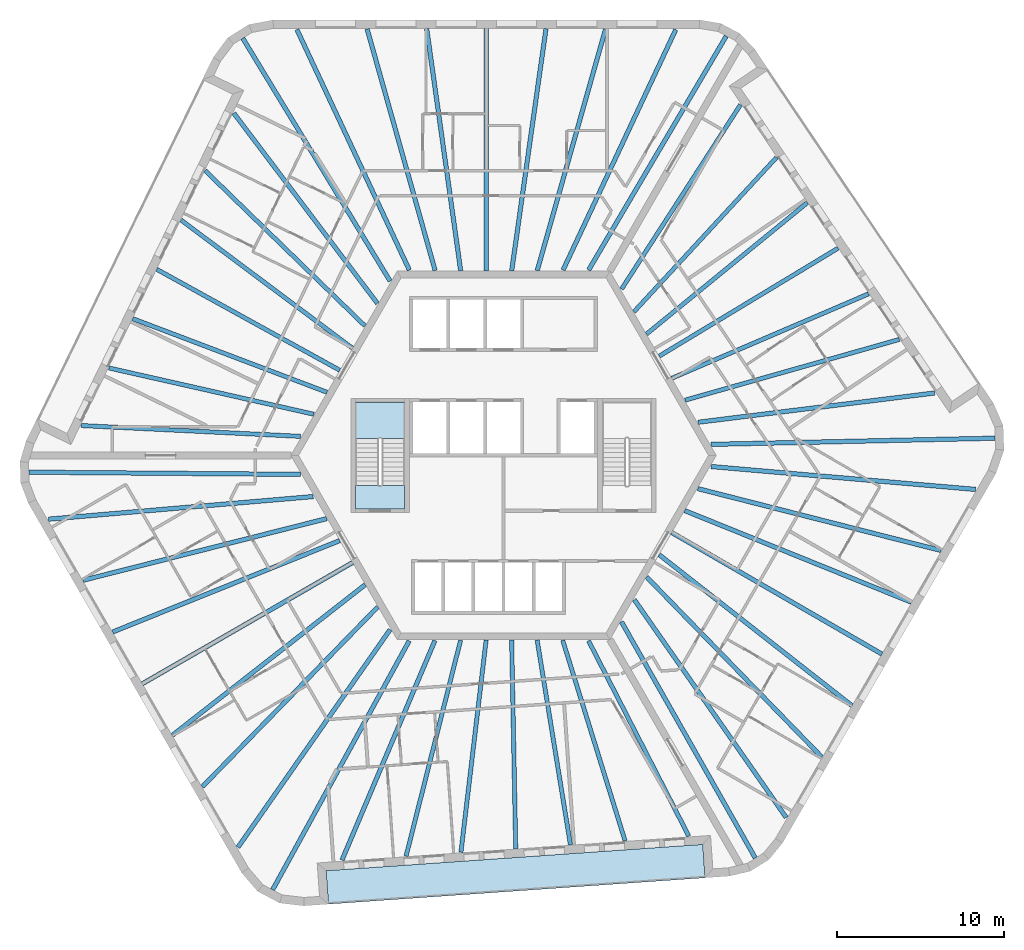
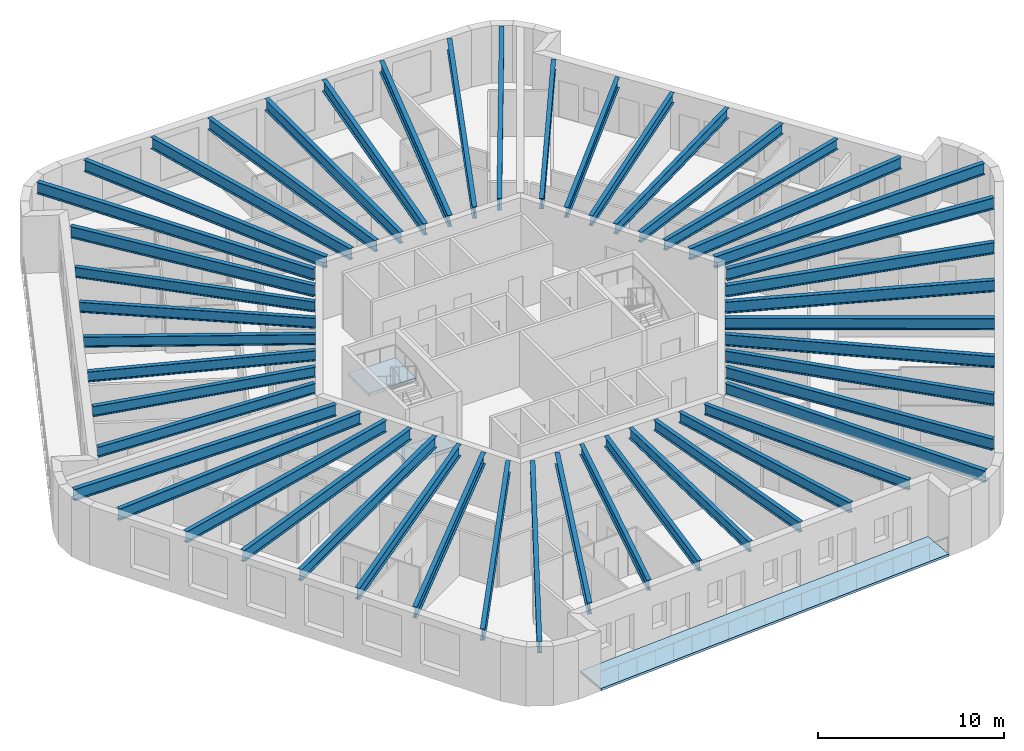
# One storey, part 1 of 12: 48 beams, 3 slabs, 1 element without a shape of its own.
"""IFC4 building model written with IfcOpenShell, lengths in metres."""

from ifc_helpers import new_model, si_unit, direction, frame, origin, origin_2d, place, context, subcontext, project, spatial, polyline, i_section, outline, extrude, material, layer, layer_set, material_profile, profile_set, type_object, element, aggregate, save


model = new_model("IFC4")

# Units and contexts
model_context = context("Model", 3, precision=1e-05, world=origin(), true_north=direction((0.0, 1.0)))
body_context = subcontext(model_context, "Body", "Model", "MODEL_VIEW")
ifc_project = project(units=[si_unit("LENGTHUNIT", "METRE"), si_unit("AREAUNIT", "SQUARE_METRE"), si_unit("VOLUMEUNIT", "CUBIC_METRE"), si_unit("PLANEANGLEUNIT", "RADIAN"), si_unit("MASSUNIT", "GRAM", prefix="KILO")], contexts=[model_context])

# Site, building, storey
site_placement = place(None, origin())
site = spatial("IfcSite", under=ifc_project, at=site_placement, CompositionType="ELEMENT")
building_placement = place(site_placement, origin())
building = spatial("IfcBuilding", under=site, at=building_placement, Name="Tarnside Tower", CompositionType="ELEMENT")
storey_placement = place(building_placement, frame((0.0, 0.0, 299.10009765625)))
storey = spatial("IfcBuildingStorey", under=building, at=storey_placement, Name="L72", CompositionType="ELEMENT", Elevation=299.10009765625)

# Beams
ifc_material_1 = material(Name="Steel S355", Category="steel")
ifc_material_profile_1 = material_profile(ifc_material_1, i_section(OverallWidth=0.2529296875, OverallDepth=0.677978515625, WebThickness=0.01171875, FlangeThickness=0.01611328125, FilletRadius=0.01513671875, at=origin_2d()), Name="UB 686x254x125")
ifc_profile_set_1 = profile_set([ifc_material_profile_1], Name="Steel S355")
beam_type_1 = type_object("IfcBeamType", Name="Floor beam UB 686x254x125", PredefinedType="BEAM", material=ifc_profile_set_1)
beam_1_placement = place(storey_placement, frame((-17.811279296875, 17.002197265625, 3.410888671875), z_axis=(0.717190986424, -0.696876666988, 0.0), x_axis=(0.696876666988, 0.717190986424, 0.0)))
element("IfcBeam", 1, at=beam_1_placement, inside=storey, type_object=beam_type_1, Name="Floor beam F2.02", PredefinedType="BEAM", context=body_context, shape_type="SweptSolid", body=[
    extrude(i_section(OverallWidth=0.2529296875, OverallDepth=0.677978515625, WebThickness=0.01171875, FlangeThickness=0.01611328125, FilletRadius=0.01513671875, at=origin_2d()), origin(), (0.0, 0.0, 1.0), 13.2919921875),
])
beam_2_placement = place(storey_placement, frame((-19.25, 14.0498046875, 3.410888671875), z_axis=(0.801006417676, -0.598655759883, 0.0), x_axis=(0.598655759883, 0.801006417676, 0.0)))
element("IfcBeam", 2, at=beam_2_placement, inside=storey, type_object=beam_type_1, Name="Floor beam F2.03", PredefinedType="BEAM", context=body_context, shape_type="SweptSolid", body=[
    extrude(i_section(OverallWidth=0.2529296875, OverallDepth=0.677978515625, WebThickness=0.01171875, FlangeThickness=0.01611328125, FilletRadius=0.01513671875, at=origin_2d()), origin(), (0.0, 0.0, 1.0), 12.764892578125),
])
beam_3_placement = place(storey_placement, frame((-20.70458984375, 11.111572265625, 3.410888671875), z_axis=(0.875666768762, -0.482915841619, 0.0), x_axis=(0.482915841619, 0.875666768762, 0.0)))
element("IfcBeam", 3, at=beam_3_placement, inside=storey, type_object=beam_type_1, Name="Floor beam F2.04", PredefinedType="BEAM", context=body_context, shape_type="SweptSolid", body=[
    extrude(i_section(OverallWidth=0.2529296875, OverallDepth=0.677978515625, WebThickness=0.01171875, FlangeThickness=0.01611328125, FilletRadius=0.01513671875, at=origin_2d()), origin(), (0.0, 0.0, 1.0), 12.468994140625),
])
beam_4_placement = place(storey_placement, frame((-22.141357421875, 8.165771484375, 3.410888671875), z_axis=(0.935116350489, -0.354340811998, 0.0), x_axis=(0.354340811998, 0.935116350489, 0.0)))
element("IfcBeam", 4, at=beam_4_placement, inside=storey, type_object=beam_type_1, Name="Floor beam F2.05", PredefinedType="BEAM", context=body_context, shape_type="SweptSolid", body=[
    extrude(i_section(OverallWidth=0.2529296875, OverallDepth=0.677978515625, WebThickness=0.01171875, FlangeThickness=0.01611328125, FilletRadius=0.01513671875, at=origin_2d()), origin(), (0.0, 0.0, 1.0), 12.399169921875),
])
beam_5_placement = place(storey_placement, frame((-23.556884765625, 5.2197265625, 3.410888671875), z_axis=(0.975445185376, -0.220242344534, 0.0), x_axis=(0.220242344534, 0.975445185376, 0.0)))
element("IfcBeam", 5, at=beam_5_placement, inside=storey, type_object=beam_type_1, Name="Floor beam F2.06", PredefinedType="BEAM", context=body_context, shape_type="SweptSolid", body=[
    extrude(i_section(OverallWidth=0.2529296875, OverallDepth=0.677978515625, WebThickness=0.01171875, FlangeThickness=0.01611328125, FilletRadius=0.01513671875, at=origin_2d()), origin(), (0.0, 0.0, 1.0), 12.538330078125),
])
beam_6_placement = place(storey_placement, frame((-25.214599609375, 1.7841796875, 3.410888671875), z_axis=(0.998783137237, -0.049317793651, 0.0), x_axis=(0.049317793651, 0.998783137237, 0.0)))
element("IfcBeam", 6, at=beam_6_placement, inside=storey, type_object=beam_type_1, Name="Floor beam F2.07", PredefinedType="BEAM", context=body_context, shape_type="SweptSolid", body=[
    extrude(i_section(OverallWidth=0.2529296875, OverallDepth=0.677978515625, WebThickness=0.01171875, FlangeThickness=0.01611328125, FilletRadius=0.01513671875, at=origin_2d()), origin(), (0.0, 0.0, 1.0), 13.103515625),
])
beam_7_placement = place(storey_placement, frame((-5.818603515625, -23.92626953125, 3.410888671875), z_axis=(0.244907502604, 0.969546448175, 0.0), x_axis=(-0.969546448175, 0.244907502604, 0.0)))
element("IfcBeam", 7, at=beam_7_placement, inside=storey, type_object=beam_type_1, Name="Floor beam F4.02", PredefinedType="BEAM", context=body_context, shape_type="SweptSolid", body=[
    extrude(i_section(OverallWidth=0.2529296875, OverallDepth=0.677978515625, WebThickness=0.01171875, FlangeThickness=0.01611328125, FilletRadius=0.01513671875, at=origin_2d()), origin(), (0.0, 0.0, 1.0), 13.292236328125),
])
beam_8_placement = place(storey_placement, frame((-2.54248046875, -23.69580078125, 3.410888671875), z_axis=(0.117949762105, 0.993019563563, 0.0), x_axis=(-0.993019563563, 0.117949762105, 0.0)))
element("IfcBeam", 8, at=beam_8_placement, inside=storey, type_object=beam_type_1, Name="Floor beam F4.03", PredefinedType="BEAM", context=body_context, shape_type="SweptSolid", body=[
    extrude(i_section(OverallWidth=0.2529296875, OverallDepth=0.677978515625, WebThickness=0.01171875, FlangeThickness=0.01611328125, FilletRadius=0.01513671875, at=origin_2d()), origin(), (0.0, 0.0, 1.0), 12.764892578125),
])
beam_9_placement = place(storey_placement, frame((0.7294921875, -23.486328125, 3.410888671875), z_axis=(-0.019619426101, 0.999807520536, 0.0), x_axis=(-0.999807520536, -0.019619426101, 0.0)))
element("IfcBeam", 9, at=beam_9_placement, inside=storey, type_object=beam_type_1, Name="Floor beam F4.04", PredefinedType="BEAM", context=body_context, shape_type="SweptSolid", body=[
    extrude(i_section(OverallWidth=0.2529296875, OverallDepth=0.677978515625, WebThickness=0.01171875, FlangeThickness=0.01611328125, FilletRadius=0.01513671875, at=origin_2d()), origin(), (0.0, 0.0, 1.0), 12.46875),
])
beam_10_placement = place(storey_placement, frame((3.9990234375, -23.2578125, 3.410888671875), z_axis=(-0.160690769029, 0.987004800773, 0.0), x_axis=(-0.987004800773, -0.160690769029, 0.0)))
element("IfcBeam", 10, at=beam_10_placement, inside=storey, type_object=beam_type_1, Name="Floor beam F4.05", PredefinedType="BEAM", context=body_context, shape_type="SweptSolid", body=[
    extrude(i_section(OverallWidth=0.2529296875, OverallDepth=0.677978515625, WebThickness=0.01171875, FlangeThickness=0.01611328125, FilletRadius=0.01513671875, at=origin_2d()), origin(), (0.0, 0.0, 1.0), 12.399169921875),
])
beam_11_placement = place(storey_placement, frame((7.258056640625, -23.0107421875, 3.410888671875), z_axis=(-0.296997512057, 0.954878252885, 0.0), x_axis=(-0.954878252885, -0.296997512057, 0.0)))
element("IfcBeam", 11, at=beam_11_placement, inside=storey, type_object=beam_type_1, Name="Floor beam F4.06", PredefinedType="BEAM", context=body_context, shape_type="SweptSolid", body=[
    extrude(i_section(OverallWidth=0.2529296875, OverallDepth=0.677978515625, WebThickness=0.01171875, FlangeThickness=0.01611328125, FilletRadius=0.01513671875, at=origin_2d()), origin(), (0.0, 0.0, 1.0), 12.538330078125),
])
beam_12_placement = place(storey_placement, frame((11.06201171875, -22.728515625, 3.410888671875), z_axis=(-0.456683143477, 0.889629420862, 0.0), x_axis=(-0.889629420862, -0.456683143477, 0.0)))
element("IfcBeam", 12, at=beam_12_placement, inside=storey, type_object=beam_type_1, Name="Floor beam F4.07", PredefinedType="BEAM", context=body_context, shape_type="SweptSolid", body=[
    extrude(i_section(OverallWidth=0.2529296875, OverallDepth=0.677978515625, WebThickness=0.01171875, FlangeThickness=0.01611328125, FilletRadius=0.01513671875, at=origin_2d()), origin(), (0.0, 0.0, 1.0), 13.103515625),
])
beam_13_placement = place(storey_placement, frame((23.6298828125, 6.924072265625, 3.410888671875), z_axis=(-0.962104001021, -0.272682766636, 0.0), x_axis=(0.272682766636, -0.962104001021, 0.0)))
element("IfcBeam", 13, at=beam_13_placement, inside=storey, type_object=beam_type_1, Name="Floor beam F6.02", PredefinedType="BEAM", context=body_context, shape_type="SweptSolid", body=[
    extrude(i_section(OverallWidth=0.2529296875, OverallDepth=0.677978515625, WebThickness=0.01171875, FlangeThickness=0.01611328125, FilletRadius=0.01513671875, at=origin_2d()), origin(), (0.0, 0.0, 1.0), 13.2919921875),
])
beam_14_placement = place(storey_placement, frame((21.792236328125, 9.64599609375, 3.410888671875), z_axis=(-0.918954980534, -0.394362452258, 0.0), x_axis=(0.394362452258, -0.918954980534, 0.0)))
element("IfcBeam", 14, at=beam_14_placement, inside=storey, type_object=beam_type_1, Name="Floor beam F6.03", PredefinedType="BEAM", context=body_context, shape_type="SweptSolid", body=[
    extrude(i_section(OverallWidth=0.2529296875, OverallDepth=0.677978515625, WebThickness=0.01171875, FlangeThickness=0.01611328125, FilletRadius=0.01513671875, at=origin_2d()), origin(), (0.0, 0.0, 1.0), 12.7646484375),
])
beam_15_placement = place(storey_placement, frame((19.97509765625, 12.375, 3.410888671875), z_axis=(-0.856046953876, -0.516898068055, 0.0), x_axis=(0.516898068055, -0.856046953876, 0.0)))
element("IfcBeam", 15, at=beam_15_placement, inside=storey, type_object=beam_type_1, Name="Floor beam F6.04", PredefinedType="BEAM", context=body_context, shape_type="SweptSolid", body=[
    extrude(i_section(OverallWidth=0.2529296875, OverallDepth=0.677978515625, WebThickness=0.01171875, FlangeThickness=0.01611328125, FilletRadius=0.01513671875, at=origin_2d()), origin(), (0.0, 0.0, 1.0), 12.46875),
])
beam_16_placement = place(storey_placement, frame((18.142333984375, 15.092041015625, 3.410888671875), z_axis=(-0.774438707576, -0.632648945473, 0.0), x_axis=(0.632648945473, -0.774438707576, 0.0)))
element("IfcBeam", 16, at=beam_16_placement, inside=storey, type_object=beam_type_1, Name="Floor beam F6.05", PredefinedType="BEAM", context=body_context, shape_type="SweptSolid", body=[
    extrude(i_section(OverallWidth=0.2529296875, OverallDepth=0.677978515625, WebThickness=0.01171875, FlangeThickness=0.01611328125, FilletRadius=0.01513671875, at=origin_2d()), origin(), (0.0, 0.0, 1.0), 12.39892578125),
])
beam_17_placement = place(storey_placement, frame((16.299072265625, 17.791015625, 3.410888671875), z_axis=(-0.67846123451, -0.734636204708, 0.0), x_axis=(0.734636204708, -0.67846123451, 0.0)))
element("IfcBeam", 17, at=beam_17_placement, inside=storey, type_object=beam_type_1, Name="Floor beam F6.06", PredefinedType="BEAM", context=body_context, shape_type="SweptSolid", body=[
    extrude(i_section(OverallWidth=0.2529296875, OverallDepth=0.677978515625, WebThickness=0.01171875, FlangeThickness=0.01611328125, FilletRadius=0.01513671875, at=origin_2d()), origin(), (0.0, 0.0, 1.0), 12.538330078125),
])
beam_18_placement = place(storey_placement, frame((14.152587890625, 20.9443359375, 3.410888671875), z_axis=(-0.54209970956, -0.840314170352, 0.0), x_axis=(0.840314170352, -0.54209970956, 0.0)))
element("IfcBeam", 18, at=beam_18_placement, inside=storey, type_object=beam_type_1, Name="Floor beam F6.07", PredefinedType="BEAM", context=body_context, shape_type="SweptSolid", body=[
    extrude(i_section(OverallWidth=0.2529296875, OverallDepth=0.677978515625, WebThickness=0.01171875, FlangeThickness=0.01611328125, FilletRadius=0.01513671875, at=origin_2d()), origin(), (0.0, 0.0, 1.0), 13.103759765625),
])
ifc_material_profile_2 = material_profile(ifc_material_1, i_section(OverallWidth=0.26513671875, OverallDepth=0.75390625, WebThickness=0.0126953125, FlangeThickness=0.017578125, FilletRadius=0.0166015625, at=origin_2d()), Name="UB 762x267x147")
ifc_profile_set_2 = profile_set([ifc_material_profile_2], Name="Steel S355")
beam_type_2 = type_object("IfcBeamType", Name="Floor beam UB 762x267x147", PredefinedType="BEAM", material=ifc_profile_set_2)
beam_19_placement = place(storey_placement, frame((6.093505859375, 25.46142578125, 3.372802734375), z_axis=(-0.272147186115, -0.962255636039, 0.0), x_axis=(0.962255636039, -0.272147186115, 0.0)))
element("IfcBeam", 19, at=beam_19_placement, inside=storey, type_object=beam_type_2, Name="Floor beam F1.02", PredefinedType="BEAM", context=body_context, shape_type="SweptSolid", body=[
    extrude(i_section(OverallWidth=0.26513671875, OverallDepth=0.75390625, WebThickness=0.0126953125, FlangeThickness=0.017578125, FilletRadius=0.0166015625, at=origin_2d()), origin(), (0.0, 0.0, 1.0), 14.988525390625),
])
beam_20_placement = place(storey_placement, frame((2.537109375, 25.480224609375, 3.372802734375), z_axis=(-0.140349428967, -0.990102034029, 0.0), x_axis=(0.990102034029, -0.140349428967, 0.0)))
element("IfcBeam", 20, at=beam_20_placement, inside=storey, type_object=beam_type_2, Name="Floor beam F1.03", PredefinedType="BEAM", context=body_context, shape_type="SweptSolid", body=[
    extrude(i_section(OverallWidth=0.26513671875, OverallDepth=0.75390625, WebThickness=0.0126953125, FlangeThickness=0.017578125, FilletRadius=0.0166015625, at=origin_2d()), origin(), (0.0, 0.0, 1.0), 14.60498046875),
])
beam_21_placement = place(storey_placement, frame((-1.02490234375, 25.5, 3.372802734375), z_axis=(-0.000656653953, -0.999999784403, 0.0), x_axis=(0.999999784403, -0.000656653953, 0.0)))
element("IfcBeam", 21, at=beam_21_placement, inside=storey, type_object=beam_type_2, Name="Floor beam F1.04", PredefinedType="BEAM", context=body_context, shape_type="SweptSolid", body=[
    extrude(i_section(OverallWidth=0.26513671875, OverallDepth=0.75390625, WebThickness=0.0126953125, FlangeThickness=0.017578125, FilletRadius=0.0166015625, at=origin_2d()), origin(), (0.0, 0.0, 1.0), 14.5),
])
beam_22_placement = place(storey_placement, frame((-4.5869140625, 25.480224609375, 3.372802734375), z_axis=(0.139070897001, -0.990282427193, 0.0), x_axis=(0.990282427193, 0.139070897001, 0.0)))
element("IfcBeam", 22, at=beam_22_placement, inside=storey, type_object=beam_type_2, Name="Floor beam F1.05", PredefinedType="BEAM", context=body_context, shape_type="SweptSolid", body=[
    extrude(i_section(OverallWidth=0.26513671875, OverallDepth=0.75390625, WebThickness=0.0126953125, FlangeThickness=0.017578125, FilletRadius=0.0166015625, at=origin_2d()), origin(), (0.0, 0.0, 1.0), 14.602294921875),
])
beam_23_placement = place(storey_placement, frame((-8.1435546875, 25.46142578125, 3.372802734375), z_axis=(0.270985274434, -0.962583493023, 0.0), x_axis=(0.962583493023, 0.270985274434, 0.0)))
element("IfcBeam", 23, at=beam_23_placement, inside=storey, type_object=beam_type_2, Name="Floor beam F1.06", PredefinedType="BEAM", context=body_context, shape_type="SweptSolid", body=[
    extrude(i_section(OverallWidth=0.26513671875, OverallDepth=0.75390625, WebThickness=0.0126953125, FlangeThickness=0.017578125, FilletRadius=0.0166015625, at=origin_2d()), origin(), (0.0, 0.0, 1.0), 14.9833984375),
])
beam_24_placement = place(storey_placement, frame((-16.101318359375, 20.43212890625, 3.372802734375), z_axis=(0.602566097863, -0.798068980543, 0.0), x_axis=(0.798068980543, 0.602566097863, 0.0)))
element("IfcBeam", 24, at=beam_24_placement, inside=storey, type_object=beam_type_2, Name="Floor beam F2.01", PredefinedType="BEAM", context=body_context, shape_type="SweptSolid", body=[
    extrude(i_section(OverallWidth=0.26513671875, OverallDepth=0.75390625, WebThickness=0.0126953125, FlangeThickness=0.017578125, FilletRadius=0.0166015625, at=origin_2d()), origin(), (0.0, 0.0, 1.0), 14.231201171875),
])
beam_25_placement = place(storey_placement, frame((-25.09716796875, -7.45361328125, 3.372802734375), z_axis=(0.969413823687, 0.245431942592, 0.0), x_axis=(-0.245431942592, 0.969413823687, 0.0)))
element("IfcBeam", 25, at=beam_25_placement, inside=storey, type_object=beam_type_2, Name="Floor beam F3.02", PredefinedType="BEAM", context=body_context, shape_type="SweptSolid", body=[
    extrude(i_section(OverallWidth=0.26513671875, OverallDepth=0.75390625, WebThickness=0.0126953125, FlangeThickness=0.017578125, FilletRadius=0.0166015625, at=origin_2d()), origin(), (0.0, 0.0, 1.0), 14.98876953125),
])
beam_26_placement = place(storey_placement, frame((-23.3349609375, -10.54296875, 3.372802734375), z_axis=(0.927625766949, 0.373510958998, 0.0), x_axis=(-0.373510958998, 0.927625766949, 0.0)))
element("IfcBeam", 26, at=beam_26_placement, inside=storey, type_object=beam_type_2, Name="Floor beam F3.03", PredefinedType="BEAM", context=body_context, shape_type="SweptSolid", body=[
    extrude(i_section(OverallWidth=0.26513671875, OverallDepth=0.75390625, WebThickness=0.0126953125, FlangeThickness=0.017578125, FilletRadius=0.0166015625, at=origin_2d()), origin(), (0.0, 0.0, 1.0), 14.60498046875),
])
beam_27_placement = place(storey_placement, frame((-21.5712890625, -13.6376953125, 3.372802734375), z_axis=(0.866357363831, 0.499424587036, 0.0), x_axis=(-0.499424587036, 0.866357363831, 0.0)))
element("IfcBeam", 27, at=beam_27_placement, inside=storey, type_object=beam_type_2, Name="Floor beam F3.04", PredefinedType="BEAM", context=body_context, shape_type="SweptSolid", body=[
    extrude(i_section(OverallWidth=0.26513671875, OverallDepth=0.75390625, WebThickness=0.0126953125, FlangeThickness=0.017578125, FilletRadius=0.0166015625, at=origin_2d()), origin(), (0.0, 0.0, 1.0), 14.5),
])
beam_28_placement = place(storey_placement, frame((-19.77294921875, -16.71240234375, 3.372802734375), z_axis=(0.788074813552, 0.615579473541, 0.0), x_axis=(-0.615579473541, 0.788074813552, 0.0)))
element("IfcBeam", 28, at=beam_28_placement, inside=storey, type_object=beam_type_2, Name="Floor beam F3.05", PredefinedType="BEAM", context=body_context, shape_type="SweptSolid", body=[
    extrude(i_section(OverallWidth=0.26513671875, OverallDepth=0.75390625, WebThickness=0.0126953125, FlangeThickness=0.017578125, FilletRadius=0.0166015625, at=origin_2d()), origin(), (0.0, 0.0, 1.0), 14.60205078125),
])
beam_29_placement = place(storey_placement, frame((-17.978515625, -19.783203125, 3.372802734375), z_axis=(0.698129580508, 0.71597143017, 0.0), x_axis=(-0.71597143017, 0.698129580508, 0.0)))
element("IfcBeam", 29, at=beam_29_placement, inside=storey, type_object=beam_type_2, Name="Floor beam F3.06", PredefinedType="BEAM", context=body_context, shape_type="SweptSolid", body=[
    extrude(i_section(OverallWidth=0.26513671875, OverallDepth=0.75390625, WebThickness=0.0126953125, FlangeThickness=0.017578125, FilletRadius=0.0166015625, at=origin_2d()), origin(), (0.0, 0.0, 1.0), 14.983642578125),
])
beam_30_placement = place(storey_placement, frame((-9.64404296875, -24.160400390625, 3.372802734375), z_axis=(0.389873911801, 0.920868249478, 0.0), x_axis=(-0.920868249478, 0.389873911801, 0.0)))
element("IfcBeam", 30, at=beam_30_placement, inside=storey, type_object=beam_type_2, Name="Floor beam F4.01", PredefinedType="BEAM", context=body_context, shape_type="SweptSolid", body=[
    extrude(i_section(OverallWidth=0.26513671875, OverallDepth=0.75390625, WebThickness=0.0126953125, FlangeThickness=0.017578125, FilletRadius=0.0166015625, at=origin_2d()), origin(), (0.0, 0.0, 1.0), 14.231201171875),
])
beam_31_placement = place(storey_placement, frame((19.00341796875, -18.008056640625, 3.372802734375), z_axis=(-0.697249797022, 0.716828236437, 0.0), x_axis=(-0.716828236437, -0.697249797022, 0.0)))
element("IfcBeam", 31, at=beam_31_placement, inside=storey, type_object=beam_type_2, Name="Floor beam F5.02", PredefinedType="BEAM", context=body_context, shape_type="SweptSolid", body=[
    extrude(i_section(OverallWidth=0.26513671875, OverallDepth=0.75390625, WebThickness=0.0126953125, FlangeThickness=0.017578125, FilletRadius=0.0166015625, at=origin_2d()), origin(), (0.0, 0.0, 1.0), 14.98876953125),
])
beam_32_placement = place(storey_placement, frame((20.798095703125, -14.937255859375, 3.372802734375), z_axis=(-0.787282014804, 0.616593082321, 0.0), x_axis=(-0.616593082321, -0.787282014804, 0.0)))
element("IfcBeam", 32, at=beam_32_placement, inside=storey, type_object=beam_type_2, Name="Floor beam F5.03", PredefinedType="BEAM", context=body_context, shape_type="SweptSolid", body=[
    extrude(i_section(OverallWidth=0.26513671875, OverallDepth=0.75390625, WebThickness=0.0126953125, FlangeThickness=0.017578125, FilletRadius=0.0166015625, at=origin_2d()), origin(), (0.0, 0.0, 1.0), 14.60498046875),
])
beam_33_placement = place(storey_placement, frame((22.59619140625, -11.8623046875, 3.372802734375), z_axis=(-0.865697438889, 0.500567622106, 0.0), x_axis=(-0.500567622106, -0.865697438889, 0.0)))
element("IfcBeam", 33, at=beam_33_placement, inside=storey, type_object=beam_type_2, Name="Floor beam F5.04", PredefinedType="BEAM", context=body_context, shape_type="SweptSolid", body=[
    extrude(i_section(OverallWidth=0.26513671875, OverallDepth=0.75390625, WebThickness=0.0126953125, FlangeThickness=0.017578125, FilletRadius=0.0166015625, at=origin_2d()), origin(), (0.0, 0.0, 1.0), 14.500244140625),
])
beam_34_placement = place(storey_placement, frame((24.35986328125, -8.767578125, 3.372802734375), z_axis=(-0.927145907531, 0.374700501933, 0.0), x_axis=(-0.374700501933, -0.927145907531, 0.0)))
element("IfcBeam", 34, at=beam_34_placement, inside=storey, type_object=beam_type_2, Name="Floor beam F5.05", PredefinedType="BEAM", context=body_context, shape_type="SweptSolid", body=[
    extrude(i_section(OverallWidth=0.26513671875, OverallDepth=0.75390625, WebThickness=0.0126953125, FlangeThickness=0.017578125, FilletRadius=0.0166015625, at=origin_2d()), origin(), (0.0, 0.0, 1.0), 14.60205078125),
])
beam_35_placement = place(storey_placement, frame((26.1220703125, -5.67822265625, 3.372802734375), z_axis=(-0.969115089144, 0.246608888716, 0.0), x_axis=(-0.246608888716, -0.969115089144, 0.0)))
element("IfcBeam", 35, at=beam_35_placement, inside=storey, type_object=beam_type_2, Name="Floor beam F5.06", PredefinedType="BEAM", context=body_context, shape_type="SweptSolid", body=[
    extrude(i_section(OverallWidth=0.26513671875, OverallDepth=0.75390625, WebThickness=0.0126953125, FlangeThickness=0.017578125, FilletRadius=0.0166015625, at=origin_2d()), origin(), (0.0, 0.0, 1.0), 14.9833984375),
])
beam_36_placement = place(storey_placement, frame((25.745361328125, 3.72802734375, 3.372802734375), z_axis=(-0.992433598491, -0.122782541866, 0.0), x_axis=(0.122782541866, -0.992433598491, 0.0)))
element("IfcBeam", 36, at=beam_36_placement, inside=storey, type_object=beam_type_2, Name="Floor beam F6.01", PredefinedType="BEAM", context=body_context, shape_type="SweptSolid", body=[
    extrude(i_section(OverallWidth=0.26513671875, OverallDepth=0.75390625, WebThickness=0.0126953125, FlangeThickness=0.017578125, FilletRadius=0.0166015625, at=origin_2d()), origin(), (0.0, 0.0, 1.0), 14.23095703125),
])
ifc_material_profile_3 = material_profile(ifc_material_1, i_section(OverallWidth=0.2666015625, OverallDepth=0.76220703125, WebThickness=0.014404296875, FlangeThickness=0.021484375, FilletRadius=0.0166015625, at=origin_2d()), Name="UB 762x267x173")
ifc_profile_set_3 = profile_set([ifc_material_profile_3], Name="Steel S355")
beam_type_3 = type_object("IfcBeamType", Name="Floor beam UB 762x267x173", PredefinedType="BEAM", material=ifc_profile_set_3)
beam_37_placement = place(storey_placement, frame((10.285400390625, 25.427490234375, 3.368896484375), z_axis=(-0.424439399801, -0.905456346765, 0.0), x_axis=(0.905456346765, -0.424439399801, 0.0)))
element("IfcBeam", 37, at=beam_37_placement, inside=storey, type_object=beam_type_3, Name="Floor beam F1.01", PredefinedType="BEAM", context=body_context, shape_type="SweptSolid", body=[
    extrude(i_section(OverallWidth=0.2666015625, OverallDepth=0.76220703125, WebThickness=0.014404296875, FlangeThickness=0.021484375, FilletRadius=0.0166015625, at=origin_2d()), origin(), (0.0, 0.0, 1.0), 15.853759765625),
])
beam_38_placement = place(storey_placement, frame((-12.335205078125, 25.427490234375, 3.368896484375), z_axis=(0.423453877267, -0.905917663934, 0.0), x_axis=(0.905917663934, 0.423453877267, 0.0)))
element("IfcBeam", 38, at=beam_38_placement, inside=storey, type_object=beam_type_3, Name="Floor beam F1.07", PredefinedType="BEAM", context=body_context, shape_type="SweptSolid", body=[
    extrude(i_section(OverallWidth=0.2666015625, OverallDepth=0.76220703125, WebThickness=0.014404296875, FlangeThickness=0.021484375, FilletRadius=0.0166015625, at=origin_2d()), origin(), (0.0, 0.0, 1.0), 15.845703125),
])
beam_39_placement = place(storey_placement, frame((-15.5703125, 24.91162109375, 3.368896484375), z_axis=(0.518716683755, -0.854946198304, 0.0), x_axis=(0.854946198304, 0.518716683755, 0.0)))
element("IfcBeam", 39, at=beam_39_placement, inside=storey, type_object=beam_type_3, Name="Floor beam C1", PredefinedType="BEAM", context=body_context, shape_type="SweptSolid", body=[
    extrude(i_section(OverallWidth=0.2666015625, OverallDepth=0.76220703125, WebThickness=0.014404296875, FlangeThickness=0.021484375, FilletRadius=0.0166015625, at=origin_2d()), origin(), (0.0, 0.0, 1.0), 16.961181640625),
])
beam_40_placement = place(storey_placement, frame((-28.3291015625, -1.0009765625, 3.368896484375), z_axis=(0.999966651082, -0.008166806173, 0.0), x_axis=(0.008166806173, 0.999966651082, 0.0)))
element("IfcBeam", 40, at=beam_40_placement, inside=storey, type_object=beam_type_3, Name="Floor beam C2", PredefinedType="BEAM", context=body_context, shape_type="SweptSolid", body=[
    extrude(i_section(OverallWidth=0.2666015625, OverallDepth=0.76220703125, WebThickness=0.014404296875, FlangeThickness=0.021484375, FilletRadius=0.0166015625, at=origin_2d()), origin(), (0.0, 0.0, 1.0), 16.20263671875),
])
beam_41_placement = place(storey_placement, frame((-27.16357421875, -3.806396484375, 3.368896484375), z_axis=(0.996367434748, 0.085158293626, 0.0), x_axis=(-0.085158293626, 0.996367434748, 0.0)))
element("IfcBeam", 41, at=beam_41_placement, inside=storey, type_object=beam_type_3, Name="Floor beam F3.01", PredefinedType="BEAM", context=body_context, shape_type="SweptSolid", body=[
    extrude(i_section(OverallWidth=0.2666015625, OverallDepth=0.76220703125, WebThickness=0.014404296875, FlangeThickness=0.021484375, FilletRadius=0.0166015625, at=origin_2d()), origin(), (0.0, 0.0, 1.0), 15.85400390625),
])
beam_42_placement = place(storey_placement, frame((-15.853271484375, -23.396484375, 3.368896484375), z_axis=(0.572816933654, 0.819683329414, 0.0), x_axis=(-0.819683329414, 0.572816933654, 0.0)))
element("IfcBeam", 42, at=beam_42_placement, inside=storey, type_object=beam_type_3, Name="Floor beam F3.07", PredefinedType="BEAM", context=body_context, shape_type="SweptSolid", body=[
    extrude(i_section(OverallWidth=0.2666015625, OverallDepth=0.76220703125, WebThickness=0.014404296875, FlangeThickness=0.021484375, FilletRadius=0.0166015625, at=origin_2d()), origin(), (0.0, 0.0, 1.0), 15.84619140625),
])
beam_43_placement = place(storey_placement, frame((-13.788818359375, -25.93994140625, 3.368896484375), z_axis=(0.481036073107, 0.876700802081, 0.0), x_axis=(-0.876700802081, 0.481036073107, 0.0)))
element("IfcBeam", 43, at=beam_43_placement, inside=storey, type_object=beam_type_3, Name="Floor beam C3", PredefinedType="BEAM", context=body_context, shape_type="SweptSolid", body=[
    extrude(i_section(OverallWidth=0.2666015625, OverallDepth=0.76220703125, WebThickness=0.014404296875, FlangeThickness=0.021484375, FilletRadius=0.0166015625, at=origin_2d()), origin(), (0.0, 0.0, 1.0), 16.961181640625),
])
beam_44_placement = place(storey_placement, frame((15.031494140625, -24.033447265625, 3.368896484375), z_axis=(-0.49290801997, 0.870081423689, 0.0), x_axis=(-0.870081423689, -0.49290801997, 0.0)))
element("IfcBeam", 44, at=beam_44_placement, inside=storey, type_object=beam_type_3, Name="Floor beam C4", PredefinedType="BEAM", context=body_context, shape_type="SweptSolid", body=[
    extrude(i_section(OverallWidth=0.2666015625, OverallDepth=0.76220703125, WebThickness=0.014404296875, FlangeThickness=0.021484375, FilletRadius=0.0166015625, at=origin_2d()), origin(), (0.0, 0.0, 1.0), 16.202880859375),
])
beam_45_placement = place(storey_placement, frame((16.87841796875, -21.62109375, 3.368896484375), z_axis=(-0.571946235641, 0.82029110902, 0.0), x_axis=(-0.82029110902, -0.571946235641, 0.0)))
element("IfcBeam", 45, at=beam_45_placement, inside=storey, type_object=beam_type_3, Name="Floor beam F5.01", PredefinedType="BEAM", context=body_context, shape_type="SweptSolid", body=[
    extrude(i_section(OverallWidth=0.2666015625, OverallDepth=0.76220703125, WebThickness=0.014404296875, FlangeThickness=0.021484375, FilletRadius=0.0166015625, at=origin_2d()), origin(), (0.0, 0.0, 1.0), 15.85400390625),
])
beam_46_placement = place(storey_placement, frame((28.1884765625, -2.03125, 3.368896484375), z_axis=(-0.996273584651, 0.086249316098, 0.0), x_axis=(-0.086249316098, -0.996273584651, 0.0)))
element("IfcBeam", 46, at=beam_46_placement, inside=storey, type_object=beam_type_3, Name="Floor beam F5.07", PredefinedType="BEAM", context=body_context, shape_type="SweptSolid", body=[
    extrude(i_section(OverallWidth=0.2666015625, OverallDepth=0.76220703125, WebThickness=0.014404296875, FlangeThickness=0.021484375, FilletRadius=0.0166015625, at=origin_2d()), origin(), (0.0, 0.0, 1.0), 15.845947265625),
])
beam_47_placement = place(storey_placement, frame((29.359130859375, 1.028564453125, 3.368896484375), z_axis=(-0.999763142455, -0.02176370807, 0.0), x_axis=(0.02176370807, -0.999763142455, 0.0)))
element("IfcBeam", 47, at=beam_47_placement, inside=storey, type_object=beam_type_3, Name="Floor beam C5", PredefinedType="BEAM", context=body_context, shape_type="SweptSolid", body=[
    extrude(i_section(OverallWidth=0.2666015625, OverallDepth=0.76220703125, WebThickness=0.014404296875, FlangeThickness=0.021484375, FilletRadius=0.0166015625, at=origin_2d()), origin(), (0.0, 0.0, 1.0), 16.961181640625),
])
beam_48_placement = place(storey_placement, frame((13.2978515625, 25.0341796875, 3.368896484375), z_axis=(-0.507080048325, -0.861898964259, 0.0), x_axis=(0.861898964259, -0.507080048325, 0.0)))
element("IfcBeam", 48, at=beam_48_placement, inside=storey, type_object=beam_type_3, Name="Floor beam C6", PredefinedType="BEAM", context=body_context, shape_type="SweptSolid", body=[
    extrude(i_section(OverallWidth=0.2666015625, OverallDepth=0.76220703125, WebThickness=0.014404296875, FlangeThickness=0.021484375, FilletRadius=0.0166015625, at=origin_2d()), origin(), (0.0, 0.0, 1.0), 16.20263671875),
])

# Slabs
ifc_material_2 = material(Name="Concrete C40/50", Category="concrete")
ifc_layer_1 = layer(ifc_material_2, 0.25)
ifc_layer_set_1 = layer_set([ifc_layer_1], Name="Core slab C40/50")
slab_type_1 = type_object("IfcSlabType", Name="Core slab C40/50", PredefinedType="FLOOR", material=ifc_layer_set_1)
slab_1_placement = place(storey_placement, frame((0.0, 0.0, -0.25)))
element("IfcSlab", 49, at=slab_1_placement, inside=storey, type_object=slab_type_1, Name="L72 core floor slab 2", PredefinedType="FLOOR", context=body_context, shape_type="SweptSolid", body=[
    extrude(outline(polyline([(-8.85009765625, -3.199951171875), (-8.85009765625, -1.800048828125), (-5.89990234375, -1.800048828125), (-5.89990234375, -3.199951171875), (-8.85009765625, -3.199951171875)])), origin(), (0.0, 0.0, 1.0), 0.25),
])
ifc_material_3 = material(Name="Timber decking", Category="wood")
ifc_layer_2 = layer(ifc_material_3, 0.0400390625)
ifc_material_4 = material(Name="Concrete C60/75 precast", Category="concrete")
ifc_layer_3 = layer(ifc_material_4, 0.110107421875)
ifc_layer_set_2 = layer_set([ifc_layer_2, ifc_layer_3], Name="Loggia deck 150")
slab_type_2 = type_object("IfcSlabType", Name="Loggia deck 150", PredefinedType="FLOOR", material=ifc_layer_set_2)
slab_2_placement = place(storey_placement, frame((0.0, 0.0, -0.150146484375)))
element("IfcSlab", 50, at=slab_2_placement, inside=storey, type_object=slab_type_2, Name="Loggia deck L72 F4", PredefinedType="FLOOR", context=body_context, shape_type="SweptSolid", body=[
    extrude(outline(polyline([(-10.593017578125, -24.79931640625), (11.896728515625, -23.226806640625), (12.036376953125, -25.221923828125), (-10.45361328125, -26.79443359375), (-10.593017578125, -24.79931640625)])), origin(), (0.0, 0.0, 1.0), 0.150146484375),
])

# Stair, slab
stair_type = type_object("IfcStairType", Name="Exit stair 1400 clear", PredefinedType="HALF_TURN_STAIR", material=ifc_material_2)
stair_placement = place(storey_placement, origin())
stair = element("IfcStair", 51, at=stair_placement, inside=storey, type_object=stair_type, Name="L72 Exit stair 2", PredefinedType="HALF_TURN_STAIR")
ifc_layer_4 = layer(ifc_material_2, 0.199951171875)
ifc_layer_set_3 = layer_set([ifc_layer_4], Name="Stair landing 200 C40/50")
slab_type_3 = type_object("IfcSlabType", Name="Stair landing 200 C40/50", PredefinedType="LANDING", material=ifc_layer_set_3)
slab_3_placement = place(storey_placement, frame((0.0, 0.0, 1.75)))
slab_3 = element("IfcSlab", 52, at=slab_3_placement, type_object=slab_type_3, Name="ST2 landing 1", PredefinedType="LANDING", context=body_context, shape_type="SweptSolid", body=[
    extrude(outline(polyline([(-5.89990234375, 1.0), (-5.89990234375, 3.199951171875), (-8.85009765625, 3.199951171875), (-8.85009765625, 1.0), (-5.89990234375, 1.0)])), origin(), (0.0, 0.0, 1.0), 0.199951171875),
])
aggregate(stair, [slab_3])

save(model, "model.ifc")
